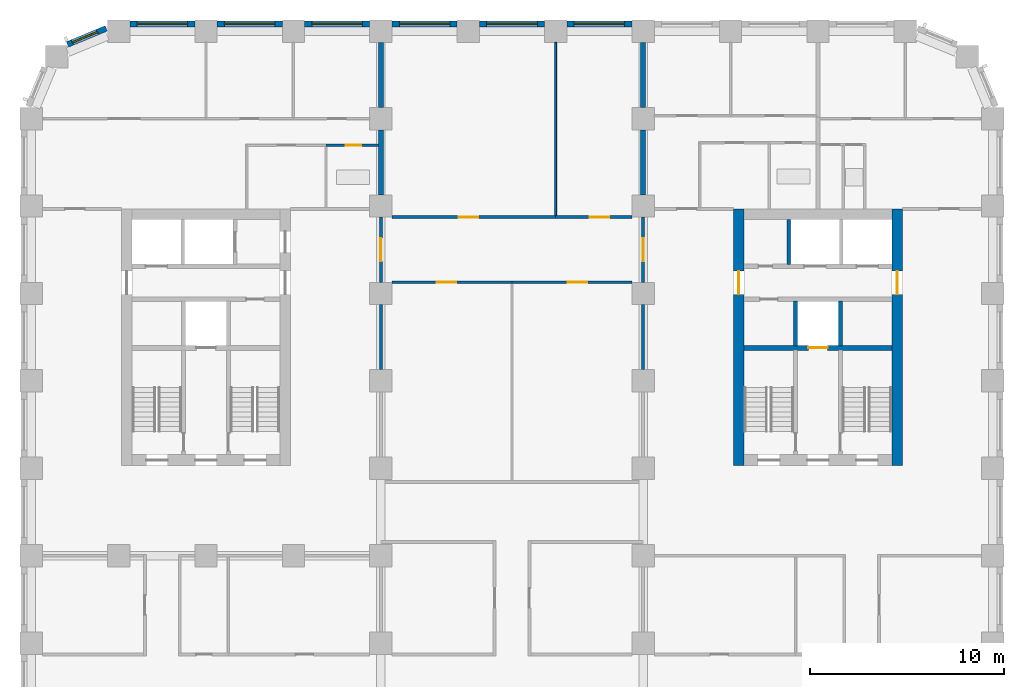
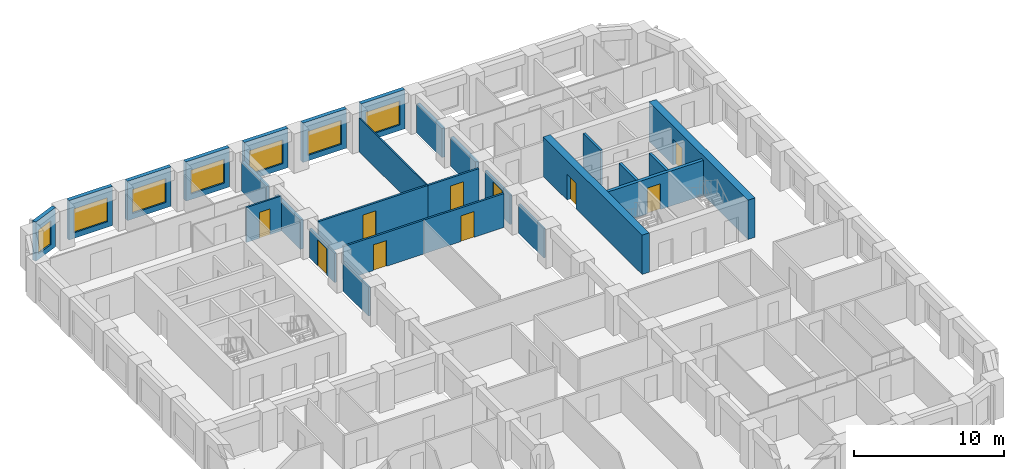
# One storey, part 7 of 12: 27 walls, 10 doors, 7 windows, 17 openings.
"""IFC4 building model written with IfcOpenShell, lengths in metres."""

from ifc_helpers import new_model, si_unit, direction, frame, frame_2d, origin, place, context, subcontext, project, spatial, rectangle, extrude, material, layer, layer_set, type_object, element, fill, save


model = new_model("IFC4")

# Units and contexts
model_context = context("Model", 3, precision=1e-05, world=origin(), true_north=direction((0.0, 1.0)))
body_context = subcontext(model_context, "Body", "Model", "MODEL_VIEW")
ifc_project = project(units=[si_unit("LENGTHUNIT", "METRE"), si_unit("AREAUNIT", "SQUARE_METRE"), si_unit("VOLUMEUNIT", "CUBIC_METRE"), si_unit("PLANEANGLEUNIT", "RADIAN"), si_unit("MASSUNIT", "GRAM", prefix="KILO")], contexts=[model_context])

# Site, building, storey
site_placement = place(None, origin())
site = spatial("IfcSite", under=ifc_project, at=site_placement, CompositionType="ELEMENT")
building_placement = place(site_placement, origin())
building = spatial("IfcBuilding", under=site, at=building_placement, Name="Girih Gate Residences", CompositionType="ELEMENT")
storey_placement = place(building_placement, frame((0.0, 0.0, 121.60009765625)))
storey = spatial("IfcBuildingStorey", under=building, at=storey_placement, Name="L34", CompositionType="ELEMENT", Elevation=121.60009765625)

# Walls
ifc_material_1 = material(Name="Gypsum board on steel studs", Category="steel")
ifc_layer_1 = layer(ifc_material_1, 0.25)
ifc_layer_set_1 = layer_set([ifc_layer_1], Name="Acoustic separating wall 250 mm")
wall_type_1 = type_object("IfcWallType", Name="Acoustic separating wall 250 mm", PredefinedType="PARTITIONING", material=ifc_layer_set_1)
for number, where, z_axis, x_axis, name in (
    (1, (18.0, 41.074951171875, 0.0), (0.0, 0.0, 1.0), (0.0, 1.0, 0.0), "L34 partition"),
    (2, (18.0, 45.574951171875, 0.0), (0.0, 0.0, 1.0), (0.0, 1.0, 0.0), "L34 partition"),
    (3, (31.5, 41.074951171875, 0.0), (0.0, 0.0, 1.0), (0.0, 1.0, 0.0), "L34 partition"),
    (4, (31.5, 45.574951171875, 0.0), (0.0, 0.0, 1.0), (0.0, 1.0, 0.0), "L34 partition"),
):
    element("IfcWall", number, at=place(storey_placement, frame(where, z_axis=z_axis, x_axis=x_axis)), inside=storey, type_object=wall_type_1, Name=name, PredefinedType="PARTITIONING", context=body_context, shape_type="SweptSolid", body=[
        extrude(rectangle(XDim=3.35009765625, YDim=0.25, at=frame_2d((1.675048828125, 0.0))), origin(), (0.0, 0.0, 1.0), 2.3798828125),
    ])

# Wall, opening, door
ifc_layer_2 = layer(ifc_material_1, 0.14990234375)
ifc_layer_set_2 = layer_set([ifc_layer_2], Name="Compartment wall 150 mm")
wall_type_2 = type_object("IfcWallType", Name="Compartment wall 150 mm", PredefinedType="PARTITIONING", material=ifc_layer_set_2)
wall_1_placement = place(storey_placement, frame((18.574951171875, 39.925048828125, 0.0), z_axis=(0.0, 0.0, 1.0), x_axis=(1.0, 0.0, 0.0)))
wall_1 = element("IfcWall", 5, at=wall_1_placement, inside=storey, type_object=wall_type_2, Name="L34 partition", PredefinedType="PARTITIONING", context=body_context, shape_type="SweptSolid", body=[
    extrude(rectangle(XDim=8.425048828125, YDim=0.14990234375, at=frame_2d((4.21240234375, 0.0))), origin(), (0.0, 0.0, 1.0), 2.75),
])
opening_1_placement = place(wall_1_placement, frame((3.425048828125, 0.0, 0.0)))
opening_1 = element("IfcOpeningElement", 6, at=opening_1_placement, cuts=wall_1, Name="Opening A34-034", PredefinedType="OPENING", context=body_context, shape_type="SweptSolid", body=[
    extrude(rectangle(XDim=1.0, YDim=2.10009765625, at=frame_2d((0.5, 1.050048828125))), frame((0.0, 0.0849609375, 0.0), z_axis=(0.0, -1.0, 0.0), x_axis=(1.0, 0.0, 0.0)), (0.0, 0.0, 1.0), 0.169921875),
])
ifc_material_2 = material(Name="Timber, fire-rated core", Category="wood")
door_type_1 = type_object("IfcDoorType", Name="Amenity room door 1000x2100 FD30S", OperationType="NOTDEFINED", PredefinedType="DOOR", material=ifc_material_2)
door_1_placement = place(opening_1_placement, origin())
door_1 = element("IfcDoor", 7, at=door_1_placement, inside=storey, type_object=door_type_1, Name="Door A34-034", OperationType="SINGLE_SWING_LEFT", OverallHeight=2.10009765625, OverallWidth=1.0, PredefinedType="DOOR", context=body_context, shape_type="SweptSolid", body=[
    extrude(rectangle(XDim=1.0, YDim=2.10009765625, at=frame_2d((0.5, 1.050048828125))), frame((0.0, 0.02490234375, 0.0), z_axis=(0.0, -1.0, 0.0), x_axis=(1.0, 0.0, 0.0)), (0.0, 0.0, 1.0), 0.050048828125),
])
fill(opening_1, door_1)

wall_2_placement = place(storey_placement, frame((27.0, 39.925048828125, 0.0), z_axis=(0.0, 0.0, 1.0), x_axis=(1.0, 0.0, 0.0)))
wall_2 = element("IfcWall", 8, at=wall_2_placement, inside=storey, type_object=wall_type_2, Name="L34 partition", PredefinedType="PARTITIONING", context=body_context, shape_type="SweptSolid", body=[
    extrude(rectangle(XDim=3.925048828125, YDim=0.14990234375, at=frame_2d((1.96240234375, 0.0))), origin(), (0.0, 0.0, 1.0), 2.75),
])
opening_2_placement = place(wall_2_placement, frame((1.75, 0.0, 0.0)))
opening_2 = element("IfcOpeningElement", 9, at=opening_2_placement, cuts=wall_2, Name="Opening A34-035", PredefinedType="OPENING", context=body_context, shape_type="SweptSolid", body=[
    extrude(rectangle(XDim=1.0, YDim=2.10009765625, at=frame_2d((0.5, 1.050048828125))), frame((0.0, 0.0849609375, 0.0), z_axis=(0.0, -1.0, 0.0), x_axis=(1.0, 0.0, 0.0)), (0.0, 0.0, 1.0), 0.169921875),
])
door_2_placement = place(opening_2_placement, origin())
door_2 = element("IfcDoor", 10, at=door_2_placement, inside=storey, type_object=door_type_1, Name="Door A34-035", OperationType="SINGLE_SWING_RIGHT", OverallHeight=2.10009765625, OverallWidth=1.0, PredefinedType="DOOR", context=body_context, shape_type="SweptSolid", body=[
    extrude(rectangle(XDim=1.0, YDim=2.10009765625, at=frame_2d((0.5, 1.050048828125))), frame((0.0, 0.02490234375, 0.0), z_axis=(0.0, -1.0, 0.0), x_axis=(1.0, 0.0, 0.0)), (0.0, 0.0, 1.0), 0.050048828125),
])
fill(opening_2, door_2)

wall_3_placement = place(storey_placement, frame((24.75, 36.574951171875, 0.0), z_axis=(0.0, 0.0, 1.0), x_axis=(-1.0, 0.0, 0.0)))
wall_3 = element("IfcWall", 11, at=wall_3_placement, inside=storey, type_object=wall_type_2, Name="L34 partition", PredefinedType="PARTITIONING", context=body_context, shape_type="SweptSolid", body=[
    extrude(rectangle(XDim=6.175048828125, YDim=0.14990234375, at=frame_2d((3.08740234375, 0.0))), origin(), (0.0, 0.0, 1.0), 2.75),
])
opening_3_placement = place(wall_3_placement, frame((2.875, 0.0, 0.0)))
opening_3 = element("IfcOpeningElement", 12, at=opening_3_placement, cuts=wall_3, Name="Opening A34-036", PredefinedType="OPENING", context=body_context, shape_type="SweptSolid", body=[
    extrude(rectangle(XDim=1.0, YDim=2.10009765625, at=frame_2d((0.5, 1.050048828125))), frame((0.0, 0.0849609375, 0.0), z_axis=(0.0, -1.0, 0.0), x_axis=(1.0, 0.0, 0.0)), (0.0, 0.0, 1.0), 0.169921875),
])
door_3_placement = place(opening_3_placement, origin())
door_3 = element("IfcDoor", 13, at=door_3_placement, inside=storey, type_object=door_type_1, Name="Door A34-036", OperationType="SINGLE_SWING_RIGHT", OverallHeight=2.10009765625, OverallWidth=1.0, PredefinedType="DOOR", context=body_context, shape_type="SweptSolid", body=[
    extrude(rectangle(XDim=1.0, YDim=2.10009765625, at=frame_2d((0.5, 1.050048828125))), frame((0.0, 0.02490234375, 0.0), z_axis=(0.0, -1.0, 0.0), x_axis=(1.0, 0.0, 0.0)), (0.0, 0.0, 1.0), 0.050048828125),
])
fill(opening_3, door_3)

wall_4_placement = place(storey_placement, frame((30.925048828125, 36.574951171875, 0.0), z_axis=(0.0, 0.0, 1.0), x_axis=(-1.0, 0.0, 0.0)))
wall_4 = element("IfcWall", 14, at=wall_4_placement, inside=storey, type_object=wall_type_2, Name="L34 partition", PredefinedType="PARTITIONING", context=body_context, shape_type="SweptSolid", body=[
    extrude(rectangle(XDim=6.175048828125, YDim=0.14990234375, at=frame_2d((3.08740234375, 0.0))), origin(), (0.0, 0.0, 1.0), 2.75),
])
opening_4_placement = place(wall_4_placement, frame((2.300048828125, 0.0, 0.0)))
opening_4 = element("IfcOpeningElement", 15, at=opening_4_placement, cuts=wall_4, Name="Opening A34-037", PredefinedType="OPENING", context=body_context, shape_type="SweptSolid", body=[
    extrude(rectangle(XDim=1.0, YDim=2.10009765625, at=frame_2d((0.5, 1.050048828125))), frame((0.0, 0.0849609375, 0.0), z_axis=(0.0, -1.0, 0.0), x_axis=(1.0, 0.0, 0.0)), (0.0, 0.0, 1.0), 0.169921875),
])
door_4_placement = place(opening_4_placement, origin())
door_4 = element("IfcDoor", 16, at=door_4_placement, inside=storey, type_object=door_type_1, Name="Door A34-037", OperationType="SINGLE_SWING_LEFT", OverallHeight=2.10009765625, OverallWidth=1.0, PredefinedType="DOOR", context=body_context, shape_type="SweptSolid", body=[
    extrude(rectangle(XDim=1.0, YDim=2.10009765625, at=frame_2d((0.5, 1.050048828125))), frame((0.0, 0.02490234375, 0.0), z_axis=(0.0, -1.0, 0.0), x_axis=(1.0, 0.0, 0.0)), (0.0, 0.0, 1.0), 0.050048828125),
])
fill(opening_4, door_4)

wall_5_placement = place(storey_placement, frame((31.5, 36.574951171875, 0.0), z_axis=(0.0, 0.0, 1.0), x_axis=(0.0, 1.0, 0.0)))
wall_5 = element("IfcWall", 17, at=wall_5_placement, inside=storey, type_object=wall_type_2, Name="L34 partition", PredefinedType="PARTITIONING", context=body_context, shape_type="SweptSolid", body=[
    extrude(rectangle(XDim=3.35009765625, YDim=0.14990234375, at=frame_2d((1.675048828125, 0.0))), origin(), (0.0, 0.0, 1.0), 2.3798828125),
])
opening_5_placement = place(wall_5_placement, frame((1.074951171875, 0.0, 0.0)))
opening_5 = element("IfcOpeningElement", 18, at=opening_5_placement, cuts=wall_5, Name="Opening A34-038", PredefinedType="OPENING", context=body_context, shape_type="SweptSolid", body=[
    extrude(rectangle(XDim=1.199951171875, YDim=2.10009765625, at=frame_2d((0.60009765625, 1.050048828125))), frame((0.0, 0.0849609375, 0.0), z_axis=(0.0, -1.0, 0.0), x_axis=(1.0, 0.0, 0.0)), (0.0, 0.0, 1.0), 0.169921875),
])
door_type_2 = type_object("IfcDoorType", Name="Corridor fire door 1200x2100 FD30S", OperationType="NOTDEFINED", PredefinedType="DOOR", material=ifc_material_2)
door_5_placement = place(opening_5_placement, origin())
door_5 = element("IfcDoor", 19, at=door_5_placement, inside=storey, type_object=door_type_2, Name="Door A34-038", OperationType="SINGLE_SWING_LEFT", OverallHeight=2.10009765625, OverallWidth=1.199951171875, PredefinedType="DOOR", context=body_context, shape_type="SweptSolid", body=[
    extrude(rectangle(XDim=1.199951171875, YDim=2.10009765625, at=frame_2d((0.60009765625, 1.050048828125))), frame((0.0, 0.02490234375, 0.0), z_axis=(0.0, -1.0, 0.0), x_axis=(1.0, 0.0, 0.0)), (0.0, 0.0, 1.0), 0.050048828125),
])
fill(opening_5, door_5)

wall_6_placement = place(storey_placement, frame((18.0, 39.925048828125, 0.0), z_axis=(0.0, 0.0, 1.0), x_axis=(0.0, -1.0, 0.0)))
wall_6 = element("IfcWall", 20, at=wall_6_placement, inside=storey, type_object=wall_type_2, Name="L34 partition", PredefinedType="PARTITIONING", context=body_context, shape_type="SweptSolid", body=[
    extrude(rectangle(XDim=3.35009765625, YDim=0.14990234375, at=frame_2d((1.675048828125, 0.0))), origin(), (0.0, 0.0, 1.0), 2.3798828125),
])
opening_6_placement = place(wall_6_placement, frame((1.074951171875, 0.0, 0.0)))
opening_6 = element("IfcOpeningElement", 21, at=opening_6_placement, cuts=wall_6, Name="Opening A34-039", PredefinedType="OPENING", context=body_context, shape_type="SweptSolid", body=[
    extrude(rectangle(XDim=1.199951171875, YDim=2.10009765625, at=frame_2d((0.60009765625, 1.050048828125))), frame((0.0, 0.0849609375, 0.0), z_axis=(0.0, -1.0, 0.0), x_axis=(1.0, 0.0, 0.0)), (0.0, 0.0, 1.0), 0.169921875),
])
door_6_placement = place(opening_6_placement, origin())
door_6 = element("IfcDoor", 22, at=door_6_placement, inside=storey, type_object=door_type_2, Name="Door A34-039", OperationType="SINGLE_SWING_LEFT", OverallHeight=2.10009765625, OverallWidth=1.199951171875, PredefinedType="DOOR", context=body_context, shape_type="SweptSolid", body=[
    extrude(rectangle(XDim=1.199951171875, YDim=2.10009765625, at=frame_2d((0.60009765625, 1.050048828125))), frame((0.0, 0.02490234375, 0.0), z_axis=(0.0, -1.0, 0.0), x_axis=(1.0, 0.0, 0.0)), (0.0, 0.0, 1.0), 0.050048828125),
])
fill(opening_6, door_6)

# Walls
for number, where, z_axis, x_axis, name in (
    (23, (18.0, 32.074951171875, 0.0), (0.0, 0.0, 1.0), (0.0, 1.0, 0.0), "L34 partition"),
    (24, (31.5, 32.074951171875, 0.0), (0.0, 0.0, 1.0), (0.0, 1.0, 0.0), "L34 partition"),
):
    element("IfcWall", number, at=place(storey_placement, frame(where, z_axis=z_axis, x_axis=x_axis)), inside=storey, type_object=wall_type_2, Name=name, PredefinedType="PARTITIONING", context=body_context, shape_type="SweptSolid", body=[
        extrude(rectangle(XDim=3.35009765625, YDim=0.14990234375, at=frame_2d((1.675048828125, 0.0))), origin(), (0.0, 0.0, 1.0), 2.3798828125),
    ])

# Wall, opening, door
ifc_material_3 = material(Name="Concrete C60/75", Category="concrete")
ifc_layer_3 = layer(ifc_material_3, 0.550048828125)
ifc_layer_set_3 = layer_set([ifc_layer_3], Name="Core wall RC 550 Concrete C60/75")
wall_type_3 = type_object("IfcWallType", Name="Core wall RC 550 Concrete C60/75", PredefinedType="SOLIDWALL", material=ifc_layer_set_3)
wall_7_placement = place(storey_placement, frame((36.425048828125, 27.14990234375, 0.0), z_axis=(0.0, 0.0, 1.0), x_axis=(0.0, 1.0, 0.0)))
wall_7 = element("IfcWall", 25, at=wall_7_placement, inside=storey, type_object=wall_type_3, Name="Core wall E-W L34", PredefinedType="SOLIDWALL", context=body_context, shape_type="SweptSolid", body=[
    extrude(rectangle(XDim=13.2001953125, YDim=0.550048828125, at=frame_2d((6.60009765625, 0.0))), origin(), (0.0, 0.0, 1.0), 3.199951171875),
])
opening_7_placement = place(wall_7_placement, frame((8.800048828125, 0.0, 0.0)))
opening_7 = element("IfcOpeningElement", 26, at=opening_7_placement, cuts=wall_7, Name="Opening D-L34-E-011", PredefinedType="OPENING", context=body_context, shape_type="SweptSolid", body=[
    extrude(rectangle(XDim=1.199951171875, YDim=2.10009765625, at=frame_2d((0.60009765625, 1.050048828125))), frame((0.0, 0.284912109375, 0.0), z_axis=(0.0, -1.0, 0.0), x_axis=(1.0, 0.0, 0.0)), (0.0, 0.0, 1.0), 0.570068359375),
])
ifc_material_4 = material(Name="Painted steel, fire-resisting", Category="steel")
door_type_3 = type_object("IfcDoorType", Name="Fire door 1200x2100", OperationType="SINGLE_SWING_LEFT", PredefinedType="DOOR", material=ifc_material_4)
door_7_placement = place(opening_7_placement, origin())
door_7 = element("IfcDoor", 27, at=door_7_placement, inside=storey, type_object=door_type_3, Name="L34 E core door ll-w", OperationType="SINGLE_SWING_LEFT", OverallHeight=2.10009765625, OverallWidth=1.199951171875, PredefinedType="DOOR", context=body_context, shape_type="SweptSolid", body=[
    extrude(rectangle(XDim=1.199951171875, YDim=2.10009765625, at=frame_2d((0.60009765625, 1.050048828125))), frame((0.0, 0.02490234375, 0.0), z_axis=(0.0, -1.0, 0.0), x_axis=(1.0, 0.0, 0.0)), (0.0, 0.0, 1.0), 0.050048828125),
])
fill(opening_7, door_7)

wall_8_placement = place(storey_placement, frame((44.574951171875, 27.14990234375, 0.0), z_axis=(0.0, 0.0, 1.0), x_axis=(0.0, 1.0, 0.0)))
wall_8 = element("IfcWall", 28, at=wall_8_placement, inside=storey, type_object=wall_type_3, Name="Core wall E-E L34", PredefinedType="SOLIDWALL", context=body_context, shape_type="SweptSolid", body=[
    extrude(rectangle(XDim=13.2001953125, YDim=0.550048828125, at=frame_2d((6.60009765625, 0.0))), origin(), (0.0, 0.0, 1.0), 3.199951171875),
])
opening_8_placement = place(wall_8_placement, frame((8.800048828125, 0.0, 0.0)))
opening_8 = element("IfcOpeningElement", 29, at=opening_8_placement, cuts=wall_8, Name="Opening D-L34-E-012", PredefinedType="OPENING", context=body_context, shape_type="SweptSolid", body=[
    extrude(rectangle(XDim=1.199951171875, YDim=2.10009765625, at=frame_2d((0.60009765625, 1.050048828125))), frame((0.0, 0.284912109375, 0.0), z_axis=(0.0, -1.0, 0.0), x_axis=(1.0, 0.0, 0.0)), (0.0, 0.0, 1.0), 0.570068359375),
])
door_8_placement = place(opening_8_placement, origin())
door_8 = element("IfcDoor", 30, at=door_8_placement, inside=storey, type_object=door_type_3, Name="L34 E core door ll-e", OperationType="SINGLE_SWING_LEFT", OverallHeight=2.10009765625, OverallWidth=1.199951171875, PredefinedType="DOOR", context=body_context, shape_type="SweptSolid", body=[
    extrude(rectangle(XDim=1.199951171875, YDim=2.10009765625, at=frame_2d((0.60009765625, 1.050048828125))), frame((0.0, 0.02490234375, 0.0), z_axis=(0.0, -1.0, 0.0), x_axis=(1.0, 0.0, 0.0)), (0.0, 0.0, 1.0), 0.050048828125),
])
fill(opening_8, door_8)

ifc_material_5 = material(Name="Concrete C40/50", Category="concrete")
ifc_layer_4 = layer(ifc_material_5, 0.25)
ifc_layer_set_4 = layer_set([ifc_layer_4], Name="Lift shaft wall 250")
wall_type_4 = type_object("IfcWallType", Name="Lift shaft wall 250", PredefinedType="SOLIDWALL", material=ifc_layer_set_4)
wall_9_placement = place(storey_placement, frame((36.699951171875, 33.199951171875, 0.0), z_axis=(0.0, 0.0, 1.0), x_axis=(1.0, 0.0, 0.0)))
wall_9 = element("IfcWall", 31, at=wall_9_placement, inside=storey, type_object=wall_type_4, Name="L34 E core wall H1", PredefinedType="SOLIDWALL", context=body_context, shape_type="SweptSolid", body=[
    extrude(rectangle(XDim=7.60009765625, YDim=0.25, at=frame_2d((3.800048828125, 0.0))), origin(), (0.0, 0.0, 1.0), 2.849853515625),
])
opening_9_placement = place(wall_9_placement, frame((3.300048828125, 0.0, 0.0)))
opening_9 = element("IfcOpeningElement", 32, at=opening_9_placement, cuts=wall_9, Name="Opening D-L34-E-005", PredefinedType="OPENING", context=body_context, shape_type="SweptSolid", body=[
    extrude(rectangle(XDim=1.0, YDim=2.10009765625, at=frame_2d((0.5, 1.050048828125))), frame((0.0, 0.135009765625, 0.0), z_axis=(0.0, -1.0, 0.0), x_axis=(1.0, 0.0, 0.0)), (0.0, 0.0, 1.0), 0.27001953125),
])
ifc_material_6 = material(Name="Stainless steel, fire-resisting", Category="steel")
door_type_4 = type_object("IfcDoorType", Name="Firefighting lift landing door 1000x2100", OperationType="SLIDING_TO_LEFT", PredefinedType="DOOR", material=ifc_material_6)
door_9_placement = place(opening_9_placement, origin())
door_9 = element("IfcDoor", 33, at=door_9_placement, inside=storey, type_object=door_type_4, Name="L34 lift FF-E landing door", OperationType="SLIDING_TO_LEFT", OverallHeight=2.10009765625, OverallWidth=1.0, PredefinedType="DOOR", context=body_context, shape_type="SweptSolid", body=[
    extrude(rectangle(XDim=1.0, YDim=2.10009765625, at=frame_2d((0.5, 1.050048828125))), frame((0.0, 0.02490234375, 0.0), z_axis=(0.0, -1.0, 0.0), x_axis=(1.0, 0.0, 0.0)), (0.0, 0.0, 1.0), 0.050048828125),
])
fill(opening_9, door_9)

# Wall
ifc_layer_5 = layer(ifc_material_1, 0.10009765625)
ifc_layer_set_5 = layer_set([ifc_layer_5], Name="Partition 100 mm")
wall_type_5 = type_object("IfcWallType", Name="Partition 100 mm", PredefinedType="PARTITIONING", material=ifc_layer_set_5)
wall_10_placement = place(storey_placement, frame((27.0, 40.0, 0.0), z_axis=(0.0, 0.0, 1.0), x_axis=(0.0, 1.0, 0.0)))
element("IfcWall", 34, at=wall_10_placement, inside=storey, type_object=wall_type_5, Name="L34 partition", PredefinedType="PARTITIONING", context=body_context, shape_type="SweptSolid", body=[
    extrude(rectangle(XDim=8.925048828125, YDim=0.10009765625, at=frame_2d((4.46240234375, 0.0))), origin(), (0.0, 0.0, 1.0), 2.75),
])

# Wall, opening, window
ifc_material_7 = material(Name="Precast concrete C50/60", Category="concrete")
ifc_layer_6 = layer(ifc_material_7, 0.080078125, Name="Outer leaf")
ifc_material_8 = material(Name="Rigid PIR insulation")
ifc_layer_7 = layer(ifc_material_8, 0.14990234375, Name="Insulation")
ifc_material_9 = material(Name="Precast concrete C40/50", Category="concrete")
ifc_layer_8 = layer(ifc_material_9, 0.070068359375, Name="Inner leaf")
ifc_layer_set_6 = layer_set([ifc_layer_6, ifc_layer_7, ifc_layer_8], Name="Precast concrete C50/60 external wall 300")
wall_type_6 = type_object("IfcWallType", Name="Precast concrete C50/60 external wall 300", PredefinedType="SOLIDWALL", material=ifc_layer_set_6)
wall_11_placement = place(storey_placement, frame((27.574951171875, 49.875, 0.0), z_axis=(0.0, 0.0, 1.0), x_axis=(1.0, 0.0, 0.0)))
wall_11 = element("IfcWall", 35, at=wall_11_placement, inside=storey, type_object=wall_type_6, Name="External wall N0450_0495.3", PredefinedType="SOLIDWALL", context=body_context, shape_type="SweptSolid", body=[
    extrude(rectangle(XDim=3.35009765625, YDim=0.300048828125, at=frame_2d((1.675048828125, 0.0))), origin(), (0.0, 0.0, 1.0), 3.199951171875),
])
opening_10_placement = place(wall_11_placement, frame((0.375, 0.0, 0.449951171875)))
opening_10 = element("IfcOpeningElement", 36, at=opening_10_placement, cuts=wall_11, Name="Opening W-1A", PredefinedType="OPENING", context=body_context, shape_type="SweptSolid", body=[
    extrude(rectangle(XDim=2.60009765625, YDim=1.949951171875, at=frame_2d((1.300048828125, 0.97509765625))), frame((0.0, 0.159912109375, 0.0), z_axis=(0.0, -1.0, 0.0), x_axis=(1.0, 0.0, 0.0)), (0.0, 0.0, 1.0), 0.320068359375),
])
ifc_material_10 = material(Name="Double glazing in aluminium frame", Category="aluminium")
window_type_1 = type_object("IfcWindowType", Name="Window W-1A 2600x1950", PartitioningType="SINGLE_PANEL", PredefinedType="WINDOW", material=ifc_material_10)
window_1_placement = place(opening_10_placement, origin())
window_1 = element("IfcWindow", 37, at=window_1_placement, inside=storey, type_object=window_type_1, Name="Window W-1A N0450_0495.3", OverallHeight=1.949951171875, OverallWidth=2.60009765625, PartitioningType="SINGLE_PANEL", PredefinedType="WINDOW", context=body_context, shape_type="SweptSolid", body=[
    extrude(rectangle(XDim=2.60009765625, YDim=1.949951171875, at=frame_2d((1.300048828125, 0.97509765625))), frame((0.0, 0.030029296875, 0.0), z_axis=(0.0, -1.0, 0.0), x_axis=(1.0, 0.0, 0.0)), (0.0, 0.0, 1.0), 0.06005859375),
])
fill(opening_10, window_1)

wall_12_placement = place(storey_placement, frame((23.074951171875, 49.875, 0.0), z_axis=(0.0, 0.0, 1.0), x_axis=(1.0, 0.0, 0.0)))
wall_12 = element("IfcWall", 38, at=wall_12_placement, inside=storey, type_object=wall_type_6, Name="External wall N0450_0495.4", PredefinedType="SOLIDWALL", context=body_context, shape_type="SweptSolid", body=[
    extrude(rectangle(XDim=3.35009765625, YDim=0.300048828125, at=frame_2d((1.675048828125, 0.0))), origin(), (0.0, 0.0, 1.0), 3.199951171875),
])
opening_11_placement = place(wall_12_placement, frame((0.375, 0.0, 0.449951171875)))
opening_11 = element("IfcOpeningElement", 39, at=opening_11_placement, cuts=wall_12, Name="Opening W-1A", PredefinedType="OPENING", context=body_context, shape_type="SweptSolid", body=[
    extrude(rectangle(XDim=2.60009765625, YDim=1.949951171875, at=frame_2d((1.300048828125, 0.97509765625))), frame((0.0, 0.159912109375, 0.0), z_axis=(0.0, -1.0, 0.0), x_axis=(1.0, 0.0, 0.0)), (0.0, 0.0, 1.0), 0.320068359375),
])
window_2_placement = place(opening_11_placement, origin())
window_2 = element("IfcWindow", 40, at=window_2_placement, inside=storey, type_object=window_type_1, Name="Window W-1A N0450_0495.4", OverallHeight=1.949951171875, OverallWidth=2.60009765625, PartitioningType="SINGLE_PANEL", PredefinedType="WINDOW", context=body_context, shape_type="SweptSolid", body=[
    extrude(rectangle(XDim=2.60009765625, YDim=1.949951171875, at=frame_2d((1.300048828125, 0.97509765625))), frame((0.0, 0.030029296875, 0.0), z_axis=(0.0, -1.0, 0.0), x_axis=(1.0, 0.0, 0.0)), (0.0, 0.0, 1.0), 0.06005859375),
])
fill(opening_11, window_2)

wall_13_placement = place(storey_placement, frame((18.574951171875, 49.875, 0.0), z_axis=(0.0, 0.0, 1.0), x_axis=(1.0, 0.0, 0.0)))
wall_13 = element("IfcWall", 41, at=wall_13_placement, inside=storey, type_object=wall_type_6, Name="External wall N0450_0495.5", PredefinedType="SOLIDWALL", context=body_context, shape_type="SweptSolid", body=[
    extrude(rectangle(XDim=3.35009765625, YDim=0.300048828125, at=frame_2d((1.675048828125, 0.0))), origin(), (0.0, 0.0, 1.0), 3.199951171875),
])
opening_12_placement = place(wall_13_placement, frame((0.375, 0.0, 0.449951171875)))
opening_12 = element("IfcOpeningElement", 42, at=opening_12_placement, cuts=wall_13, Name="Opening W-1A", PredefinedType="OPENING", context=body_context, shape_type="SweptSolid", body=[
    extrude(rectangle(XDim=2.60009765625, YDim=1.949951171875, at=frame_2d((1.300048828125, 0.97509765625))), frame((0.0, 0.159912109375, 0.0), z_axis=(0.0, -1.0, 0.0), x_axis=(1.0, 0.0, 0.0)), (0.0, 0.0, 1.0), 0.320068359375),
])
window_3_placement = place(opening_12_placement, origin())
window_3 = element("IfcWindow", 43, at=window_3_placement, inside=storey, type_object=window_type_1, Name="Window W-1A N0450_0495.5", OverallHeight=1.949951171875, OverallWidth=2.60009765625, PartitioningType="SINGLE_PANEL", PredefinedType="WINDOW", context=body_context, shape_type="SweptSolid", body=[
    extrude(rectangle(XDim=2.60009765625, YDim=1.949951171875, at=frame_2d((1.300048828125, 0.97509765625))), frame((0.0, 0.030029296875, 0.0), z_axis=(0.0, -1.0, 0.0), x_axis=(1.0, 0.0, 0.0)), (0.0, 0.0, 1.0), 0.06005859375),
])
fill(opening_12, window_3)

wall_14_placement = place(storey_placement, frame((14.074951171875, 49.875, 0.0), z_axis=(0.0, 0.0, 1.0), x_axis=(1.0, 0.0, 0.0)))
wall_14 = element("IfcWall", 44, at=wall_14_placement, inside=storey, type_object=wall_type_6, Name="External wall N0450_0495.6", PredefinedType="SOLIDWALL", context=body_context, shape_type="SweptSolid", body=[
    extrude(rectangle(XDim=3.35009765625, YDim=0.300048828125, at=frame_2d((1.675048828125, 0.0))), origin(), (0.0, 0.0, 1.0), 3.199951171875),
])
opening_13_placement = place(wall_14_placement, frame((0.375, 0.0, 0.449951171875)))
opening_13 = element("IfcOpeningElement", 45, at=opening_13_placement, cuts=wall_14, Name="Opening W-1A", PredefinedType="OPENING", context=body_context, shape_type="SweptSolid", body=[
    extrude(rectangle(XDim=2.60009765625, YDim=1.949951171875, at=frame_2d((1.300048828125, 0.97509765625))), frame((0.0, 0.159912109375, 0.0), z_axis=(0.0, -1.0, 0.0), x_axis=(1.0, 0.0, 0.0)), (0.0, 0.0, 1.0), 0.320068359375),
])
window_4_placement = place(opening_13_placement, origin())
window_4 = element("IfcWindow", 46, at=window_4_placement, inside=storey, type_object=window_type_1, Name="Window W-1A N0450_0495.6", OverallHeight=1.949951171875, OverallWidth=2.60009765625, PartitioningType="SINGLE_PANEL", PredefinedType="WINDOW", context=body_context, shape_type="SweptSolid", body=[
    extrude(rectangle(XDim=2.60009765625, YDim=1.949951171875, at=frame_2d((1.300048828125, 0.97509765625))), frame((0.0, 0.030029296875, 0.0), z_axis=(0.0, -1.0, 0.0), x_axis=(1.0, 0.0, 0.0)), (0.0, 0.0, 1.0), 0.06005859375),
])
fill(opening_13, window_4)

wall_15_placement = place(storey_placement, frame((9.574951171875, 49.875, 0.0), z_axis=(0.0, 0.0, 1.0), x_axis=(1.0, 0.0, 0.0)))
wall_15 = element("IfcWall", 47, at=wall_15_placement, inside=storey, type_object=wall_type_6, Name="External wall N0450_0495.7", PredefinedType="SOLIDWALL", context=body_context, shape_type="SweptSolid", body=[
    extrude(rectangle(XDim=3.35009765625, YDim=0.300048828125, at=frame_2d((1.675048828125, 0.0))), origin(), (0.0, 0.0, 1.0), 3.199951171875),
])
opening_14_placement = place(wall_15_placement, frame((0.375, 0.0, 0.449951171875)))
opening_14 = element("IfcOpeningElement", 48, at=opening_14_placement, cuts=wall_15, Name="Opening W-1A", PredefinedType="OPENING", context=body_context, shape_type="SweptSolid", body=[
    extrude(rectangle(XDim=2.60009765625, YDim=1.949951171875, at=frame_2d((1.300048828125, 0.97509765625))), frame((0.0, 0.159912109375, 0.0), z_axis=(0.0, -1.0, 0.0), x_axis=(1.0, 0.0, 0.0)), (0.0, 0.0, 1.0), 0.320068359375),
])
window_5_placement = place(opening_14_placement, origin())
window_5 = element("IfcWindow", 49, at=window_5_placement, inside=storey, type_object=window_type_1, Name="Window W-1A N0450_0495.7", OverallHeight=1.949951171875, OverallWidth=2.60009765625, PartitioningType="SINGLE_PANEL", PredefinedType="WINDOW", context=body_context, shape_type="SweptSolid", body=[
    extrude(rectangle(XDim=2.60009765625, YDim=1.949951171875, at=frame_2d((1.300048828125, 0.97509765625))), frame((0.0, 0.030029296875, 0.0), z_axis=(0.0, -1.0, 0.0), x_axis=(1.0, 0.0, 0.0)), (0.0, 0.0, 1.0), 0.06005859375),
])
fill(opening_14, window_5)

wall_16_placement = place(storey_placement, frame((5.074951171875, 49.875, 0.0), z_axis=(0.0, 0.0, 1.0), x_axis=(1.0, 0.0, 0.0)))
wall_16 = element("IfcWall", 50, at=wall_16_placement, inside=storey, type_object=wall_type_6, Name="External wall N0450_0495.8", PredefinedType="SOLIDWALL", context=body_context, shape_type="SweptSolid", body=[
    extrude(rectangle(XDim=3.35009765625, YDim=0.300048828125, at=frame_2d((1.675048828125, 0.0))), origin(), (0.0, 0.0, 1.0), 3.199951171875),
])
opening_15_placement = place(wall_16_placement, frame((0.375, 0.0, 0.449951171875)))
opening_15 = element("IfcOpeningElement", 51, at=opening_15_placement, cuts=wall_16, Name="Opening W-1A", PredefinedType="OPENING", context=body_context, shape_type="SweptSolid", body=[
    extrude(rectangle(XDim=2.60009765625, YDim=1.949951171875, at=frame_2d((1.300048828125, 0.97509765625))), frame((0.0, 0.159912109375, 0.0), z_axis=(0.0, -1.0, 0.0), x_axis=(1.0, 0.0, 0.0)), (0.0, 0.0, 1.0), 0.320068359375),
])
window_6_placement = place(opening_15_placement, origin())
window_6 = element("IfcWindow", 52, at=window_6_placement, inside=storey, type_object=window_type_1, Name="Window W-1A N0450_0495.8", OverallHeight=1.949951171875, OverallWidth=2.60009765625, PartitioningType="SINGLE_PANEL", PredefinedType="WINDOW", context=body_context, shape_type="SweptSolid", body=[
    extrude(rectangle(XDim=2.60009765625, YDim=1.949951171875, at=frame_2d((1.300048828125, 0.97509765625))), frame((0.0, 0.030029296875, 0.0), z_axis=(0.0, -1.0, 0.0), x_axis=(1.0, 0.0, 0.0)), (0.0, 0.0, 1.0), 0.06005859375),
])
fill(opening_15, window_6)

wall_17_placement = place(storey_placement, frame((1.86865234375, 48.81591796875, 0.0), z_axis=(0.0, 0.0, 1.0), x_axis=(0.923862802911, 0.382723818695, 0.0)))
wall_17 = element("IfcWall", 53, at=wall_17_placement, inside=storey, type_object=wall_type_6, Name="External wall NW0045_0495.0", PredefinedType="SOLIDWALL", context=body_context, shape_type="SweptSolid", body=[
    extrude(rectangle(XDim=2.163818359375, YDim=0.300048828125, at=frame_2d((1.08203125, 0.0))), origin(), (0.0, 0.0, 1.0), 3.199951171875),
])
opening_16_placement = place(wall_17_placement, frame((0.270751953125, 0.0, 0.449951171875)))
opening_16 = element("IfcOpeningElement", 54, at=opening_16_placement, cuts=wall_17, Name="Opening W-2D", PredefinedType="OPENING", context=body_context, shape_type="SweptSolid", body=[
    extrude(rectangle(XDim=1.39990234375, YDim=1.949951171875, at=frame_2d((0.699951171875, 0.97509765625))), frame((0.0, 0.159912109375, 0.0), z_axis=(0.0, -1.0, 0.0), x_axis=(1.0, 0.0, 0.0)), (0.0, 0.0, 1.0), 0.320068359375),
])
window_type_2 = type_object("IfcWindowType", Name="Window W-2D 1400x1950", PartitioningType="SINGLE_PANEL", PredefinedType="WINDOW", material=ifc_material_10)
window_7_placement = place(opening_16_placement, origin())
window_7 = element("IfcWindow", 55, at=window_7_placement, inside=storey, type_object=window_type_2, Name="Window W-2D NW0045_0495.0", OverallHeight=1.949951171875, OverallWidth=1.39990234375, PartitioningType="SINGLE_PANEL", PredefinedType="WINDOW", context=body_context, shape_type="SweptSolid", body=[
    extrude(rectangle(XDim=1.39990234375, YDim=1.949951171875, at=frame_2d((0.699951171875, 0.97509765625))), frame((0.0, 0.030029296875, 0.0), z_axis=(0.0, -1.0, 0.0), x_axis=(1.0, 0.0, 0.0)), (0.0, 0.0, 1.0), 0.06005859375),
])
fill(opening_16, window_7)

# Walls
ifc_layer_9 = layer(ifc_material_5, 0.175048828125)
ifc_layer_set_7 = layer_set([ifc_layer_9], Name="Riser shaft wall 175")
wall_type_7 = type_object("IfcWallType", Name="Riser shaft wall 175", PredefinedType="SOLIDWALL", material=ifc_layer_set_7)
wall_18_placement = place(storey_placement, frame((39.0, 37.5, 0.0), z_axis=(0.0, 0.0, 1.0), x_axis=(0.0, 1.0, 0.0)))
element("IfcWall", 56, at=wall_18_placement, inside=storey, type_object=wall_type_7, Name="L34 E core wall V2c", PredefinedType="SOLIDWALL", context=body_context, shape_type="SweptSolid", body=[
    extrude(rectangle(XDim=2.300048828125, YDim=0.175048828125, at=frame_2d((1.14990234375, 0.0))), origin(), (0.0, 0.0, 1.0), 2.849853515625),
])
ifc_layer_10 = layer(ifc_material_5, 0.199951171875)
ifc_layer_set_8 = layer_set([ifc_layer_10], Name="Shaft wall 200")
wall_type_8 = type_object("IfcWallType", Name="Shaft wall 200", PredefinedType="SOLIDWALL", material=ifc_layer_set_8)
for number, where, z_axis, x_axis, name in (
    (57, (41.64990234375, 33.300048828125, 0.0), (0.0, 0.0, 1.0), (0.0, 1.0, 0.0), "L34 E core wall V1b"),
    (58, (39.35009765625, 33.300048828125, 0.0), (0.0, 0.0, 1.0), (0.0, 1.0, 0.0), "L34 E core wall V2b"),
):
    element("IfcWall", number, at=place(storey_placement, frame(where, z_axis=z_axis, x_axis=x_axis)), inside=storey, type_object=wall_type_8, Name=name, PredefinedType="SOLIDWALL", context=body_context, shape_type="SweptSolid", body=[
        extrude(rectangle(XDim=2.300048828125, YDim=0.199951171875, at=frame_2d((1.14990234375, 0.0))), origin(), (0.0, 0.0, 1.0), 2.849853515625),
    ])

# Wall, opening, door
ifc_layer_11 = layer(ifc_material_1, 0.125)
ifc_layer_set_9 = layer_set([ifc_layer_11], Name="Wet room wall 125 mm")
wall_type_9 = type_object("IfcWallType", Name="Wet room wall 125 mm", PredefinedType="PARTITIONING", material=ifc_layer_set_9)
wall_19_placement = place(storey_placement, frame((17.875, 43.6201171875, 0.0), z_axis=(0.0, 0.0, 1.0), x_axis=(-1.0, 0.0, 0.0)))
wall_19 = element("IfcWall", 59, at=wall_19_placement, inside=storey, type_object=wall_type_9, Name="L34 partition", PredefinedType="PARTITIONING", context=body_context, shape_type="SweptSolid", body=[
    extrude(rectangle(XDim=2.7001953125, YDim=0.125, at=frame_2d((1.35009765625, 0.0))), origin(), (0.0, 0.0, 1.0), 2.849853515625),
])
opening_17_placement = place(wall_19_placement, frame((0.8876953125, 0.0, 0.0)))
opening_17 = element("IfcOpeningElement", 60, at=opening_17_placement, cuts=wall_19, Name="Opening A34-008", PredefinedType="OPENING", context=body_context, shape_type="SweptSolid", body=[
    extrude(rectangle(XDim=0.800048828125, YDim=2.10009765625, at=frame_2d((0.39990234375, 1.050048828125))), frame((0.0, 0.072509765625, 0.0), z_axis=(0.0, -1.0, 0.0), x_axis=(1.0, 0.0, 0.0)), (0.0, 0.0, 1.0), 0.14501953125),
])
ifc_material_11 = material(Name="Timber", Category="wood")
door_type_5 = type_object("IfcDoorType", Name="Bathroom door 800x2100", OperationType="NOTDEFINED", PredefinedType="DOOR", material=ifc_material_11)
door_10_placement = place(opening_17_placement, origin())
door_10 = element("IfcDoor", 61, at=door_10_placement, inside=storey, type_object=door_type_5, Name="Door A34-008", OperationType="SINGLE_SWING_LEFT", OverallHeight=2.10009765625, OverallWidth=0.800048828125, PredefinedType="DOOR", context=body_context, shape_type="SweptSolid", body=[
    extrude(rectangle(XDim=0.800048828125, YDim=2.10009765625, at=frame_2d((0.39990234375, 1.050048828125))), frame((0.0, 0.02490234375, 0.0), z_axis=(0.0, -1.0, 0.0), x_axis=(1.0, 0.0, 0.0)), (0.0, 0.0, 1.0), 0.050048828125),
])
fill(opening_17, door_10)

save(model, "model.ifc")
